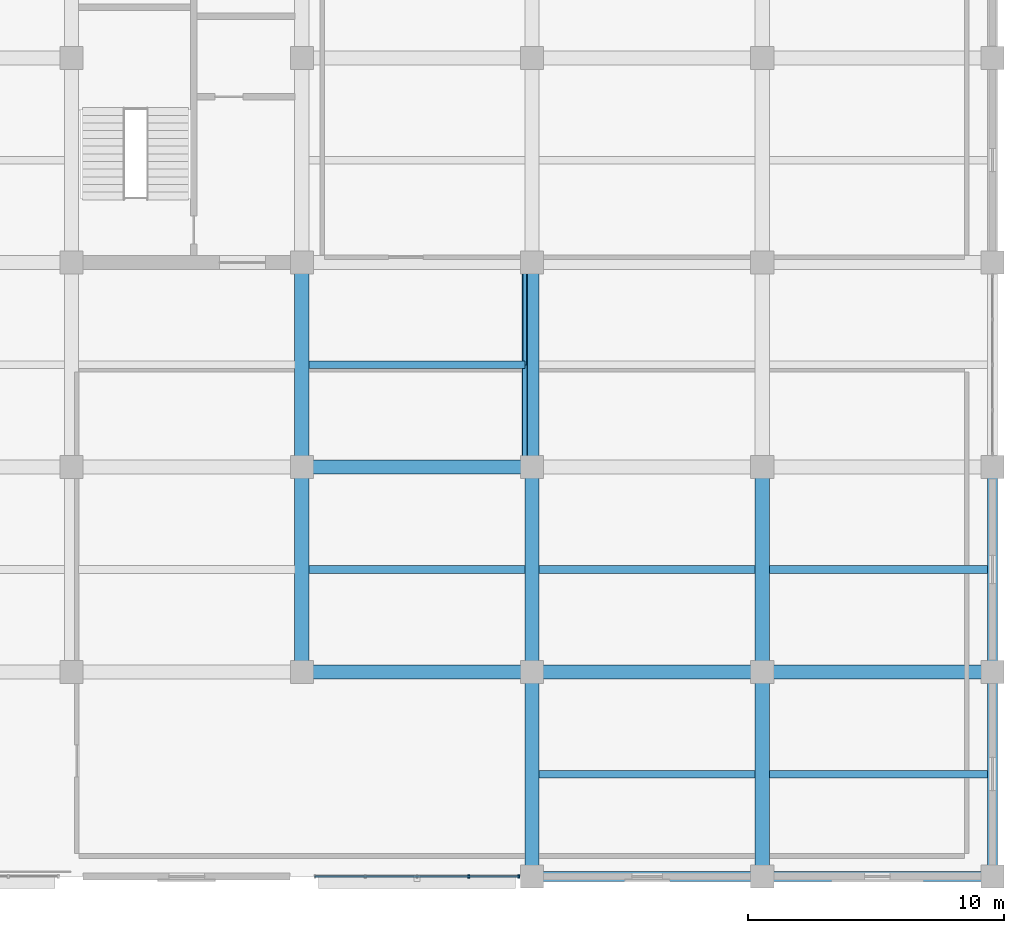
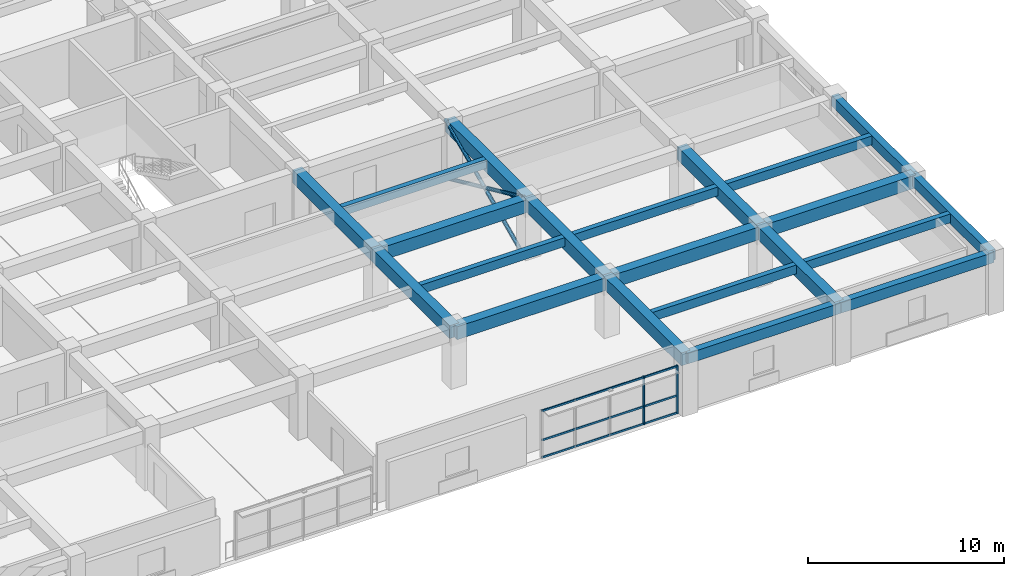
# One storey, part 6 of 16: 21 beams, 7 members, 1 element without a shape of its own.
"""IFC4 building model written with IfcOpenShell, lengths in metres."""

from ifc_helpers import new_model, si_unit, direction, frame, origin, origin_2d, place, context, subcontext, project, spatial, rectangle, hollow_circle, extrude, material, material_profile, profile_set, type_object, element, aggregate, save


model = new_model("IFC4")

# Units and contexts
model_context = context("Model", 3, precision=1e-05, world=origin(), true_north=direction((0.0, 1.0)))
body_context = subcontext(model_context, "Body", "Model", "MODEL_VIEW")
ifc_project = project(units=[si_unit("LENGTHUNIT", "METRE"), si_unit("AREAUNIT", "SQUARE_METRE"), si_unit("VOLUMEUNIT", "CUBIC_METRE"), si_unit("PLANEANGLEUNIT", "RADIAN"), si_unit("MASSUNIT", "GRAM", prefix="KILO")], contexts=[model_context])

# Site, building, storey
site_placement = place(None, origin())
site = spatial("IfcSite", under=ifc_project, at=site_placement, CompositionType="ELEMENT")
building_placement = place(site_placement, origin())
building = spatial("IfcBuilding", under=site, at=building_placement, Name="Zaverband Oceanarium and Marine Research Institute", CompositionType="ELEMENT")
storey_placement = place(building_placement, frame((0.0, 0.0, 25.800048828125)))
storey = spatial("IfcBuildingStorey", under=building, at=storey_placement, Name="L06", CompositionType="ELEMENT", Elevation=25.800048828125)

# Beams
ifc_material_1 = material(Name="Concrete C40/50", Category="concrete")
ifc_material_profile_1 = material_profile(ifc_material_1, rectangle(XDim=0.550048828125, YDim=0.800048828125, at=origin_2d()), Name="RC550x800")
ifc_profile_set_1 = profile_set([ifc_material_profile_1], Name="Concrete C40/50")
beam_type_1 = type_object("IfcBeamType", Name="BM-550x800", PredefinedType="BEAM", material=ifc_profile_set_1)
for number, where, z_axis, x_axis, name in (
    (1, (45.0, 72.0, 3.25), (1.0, 0.0, 0.0), (0.0, 1.0, 0.0), "Primary floor girder BM-550x800"),
    (2, (54.0, 72.0, 3.25), (1.0, 0.0, 0.0), (0.0, 1.0, 0.0), "Primary floor girder BM-550x800"),
    (3, (63.0, 72.0, 3.25), (1.0, 0.0, 0.0), (0.0, 1.0, 0.0), "Primary floor girder BM-550x800"),
    (4, (45.0, 80.0, 3.25), (1.0, 0.0, 0.0), (0.0, 1.0, 0.0), "Primary floor girder BM-550x800"),
):
    element("IfcBeam", number, at=place(storey_placement, frame(where, z_axis=z_axis, x_axis=x_axis)), inside=storey, type_object=beam_type_1, Name=name, PredefinedType="BEAM", context=body_context, shape_type="SweptSolid", body=[
        extrude(rectangle(XDim=0.550048828125, YDim=0.800048828125, at=origin_2d()), origin(), (0.0, 0.0, 1.0), 9.0),
    ])
for number, where, z_axis, x_axis, name in (
    (5, (45.0, 72.0, 3.25), (0.0, 1.0, 0.0), (-1.0, 0.0, 0.0), "Primary floor girder BM-550x800"),
    (6, (45.0, 80.0, 3.25), (0.0, 1.0, 0.0), (-1.0, 0.0, 0.0), "Primary floor girder BM-550x800"),
    (7, (54.0, 64.0, 3.25), (0.0, 1.0, 0.0), (-1.0, 0.0, 0.0), "Primary floor girder BM-550x800"),
    (8, (54.0, 72.0, 3.25), (0.0, 1.0, 0.0), (-1.0, 0.0, 0.0), "Primary floor girder BM-550x800"),
    (9, (54.0, 80.0, 3.25), (0.0, 1.0, 0.0), (-1.0, 0.0, 0.0), "Primary floor girder BM-550x800"),
    (10, (63.0, 64.0, 3.25), (0.0, 1.0, 0.0), (-1.0, 0.0, 0.0), "Primary floor girder BM-550x800"),
    (11, (63.0, 72.0, 3.25), (0.0, 1.0, 0.0), (-1.0, 0.0, 0.0), "Primary floor girder BM-550x800"),
):
    element("IfcBeam", number, at=place(storey_placement, frame(where, z_axis=z_axis, x_axis=x_axis)), inside=storey, type_object=beam_type_1, Name=name, PredefinedType="BEAM", context=body_context, shape_type="SweptSolid", body=[
        extrude(rectangle(XDim=0.550048828125, YDim=0.800048828125, at=origin_2d()), origin(), (0.0, 0.0, 1.0), 8.0),
    ])

# Members
ifc_material_2 = material(Name="Steel S355", Category="steel")
ifc_material_profile_2 = material_profile(ifc_material_2, hollow_circle(Radius=0.109619140625, WallThickness=0.008056640625, at=origin_2d()), Name="CHS219x8")
ifc_profile_set_2 = profile_set([ifc_material_profile_2], Name="Steel S355")
member_type_1 = type_object("IfcMemberType", Name="BR-02", PredefinedType="BRACE", material=ifc_profile_set_2)
for number, where, z_axis, x_axis, name in (
    (12, (53.719970703125, 80.0, 0.0), (0.0, 0.909785572369, 0.415078561612), (-1.0, 0.0, 0.0), "Diagonal lateral brace BR-02"),
    (13, (53.719970703125, 88.0, 0.0), (0.0, -0.909785572369, 0.415078561612), (1.0, 0.0, 0.0), "Diagonal lateral brace BR-02"),
):
    element("IfcMember", number, at=place(storey_placement, frame(where, z_axis=z_axis, x_axis=x_axis)), inside=storey, type_object=member_type_1, Name=name, PredefinedType="BRACE", context=body_context, shape_type="SweptSolid", body=[
        extrude(hollow_circle(Radius=0.109619140625, WallThickness=0.008056640625, at=origin_2d()), origin(), (0.0, 0.0, 1.0), 8.793212890625),
    ])

# Beams
ifc_material_profile_3 = material_profile(ifc_material_1, rectangle(XDim=0.300048828125, YDim=0.550048828125, at=origin_2d()), Name="RC300x550")
ifc_profile_set_3 = profile_set([ifc_material_profile_3], Name="Concrete C40/50")
beam_type_2 = type_object("IfcBeamType", Name="JST-300x550", PredefinedType="JOIST", material=ifc_profile_set_3)
for number, where, z_axis, x_axis, name in (
    (14, (45.27490234375, 76.0, 3.375), (1.0, 0.0, 0.0), (0.0, 1.0, 0.0), "Secondary floor joist JST-300x550"),
    (15, (45.27490234375, 84.0, 3.375), (1.0, 0.0, 0.0), (0.0, 1.0, 0.0), "Secondary floor joist JST-300x550"),
    (16, (54.27490234375, 68.0, 3.375), (1.0, 0.0, 0.0), (0.0, 1.0, 0.0), "Secondary floor joist JST-300x550"),
    (17, (54.27490234375, 76.0, 3.375), (1.0, 0.0, 0.0), (0.0, 1.0, 0.0), "Secondary floor joist JST-300x550"),
):
    element("IfcBeam", number, at=place(storey_placement, frame(where, z_axis=z_axis, x_axis=x_axis)), inside=storey, type_object=beam_type_2, Name=name, PredefinedType="JOIST", context=body_context, shape_type="SweptSolid", body=[
        extrude(rectangle(XDim=0.300048828125, YDim=0.550048828125, at=origin_2d()), origin(), (0.0, 0.0, 1.0), 8.4501953125),
    ])
for number, where, z_axis, x_axis, name in (
    (18, (63.27490234375, 68.0, 3.375), (1.0, 0.0, 0.0), (0.0, 1.0, 0.0), "Secondary floor joist JST-300x550"),
    (19, (63.27490234375, 76.0, 3.375), (1.0, 0.0, 0.0), (0.0, 1.0, 0.0), "Secondary floor joist JST-300x550"),
):
    element("IfcBeam", number, at=place(storey_placement, frame(where, z_axis=z_axis, x_axis=x_axis)), inside=storey, type_object=beam_type_2, Name=name, PredefinedType="JOIST", context=body_context, shape_type="SweptSolid", body=[
        extrude(rectangle(XDim=0.300048828125, YDim=0.550048828125, at=origin_2d()), origin(), (0.0, 0.0, 1.0), 8.525146484375),
    ])

# Curtain wall, members
ifc_material_3 = material(Name="Thermally broken anodized aluminium and solar-control glass", Category="aluminium")
curtain_wall_type = type_object("IfcCurtainWallType", Name="CW-UNIT-1800", PredefinedType="NOTDEFINED", material=ifc_material_3)
curtain_wall_placement = place(storey_placement, origin())
curtain_wall = element("IfcCurtainWall", 20, at=curtain_wall_placement, inside=storey, type_object=curtain_wall_type, Name="Unitised glazed curtain wall CW-078", PredefinedType="NOTDEFINED")
ifc_material_4 = material(Name="Thermally broken anodized aluminium", Category="aluminium")
ifc_material_profile_4 = material_profile(ifc_material_4, rectangle(XDim=0.070068359375, YDim=0.14990234375, at=origin_2d()), Name="AL-MUL-70x150")
ifc_profile_set_4 = profile_set([ifc_material_profile_4], Name="Thermally broken anodized aluminium")
member_type_2 = type_object("IfcMemberType", Name="MUL-70x150", PredefinedType="MULLION", material=ifc_profile_set_4)
member_1_placement = place(storey_placement, frame((51.5224609375, 64.0, 0.0), z_axis=(0.0, 0.0, 1.0), x_axis=(1.0, 0.0, 0.0)))
member_1 = element("IfcMember", 21, at=member_1_placement, type_object=member_type_2, Name="Curtain wall vertical mullion MUL-70x150", PredefinedType="MULLION", context=body_context, shape_type="SweptSolid", body=[
    extrude(rectangle(XDim=0.070068359375, YDim=0.14990234375, at=origin_2d()), origin(), (0.0, 0.0, 1.0), 2.97998046875),
])
member_2_placement = place(storey_placement, frame((53.485107421875, 64.0, 0.0), z_axis=(0.0, 0.0, 1.0), x_axis=(1.0, 0.0, 0.0)))
member_2 = element("IfcMember", 22, at=member_2_placement, type_object=member_type_2, Name="Curtain wall vertical mullion MUL-70x150", PredefinedType="MULLION", context=body_context, shape_type="SweptSolid", body=[
    extrude(rectangle(XDim=0.070068359375, YDim=0.14990234375, at=origin_2d()), origin(), (0.0, 0.0, 1.0), 2.97998046875),
])

# Beams
ifc_material_profile_5 = material_profile(ifc_material_1, rectangle(XDim=0.39990234375, YDim=0.64990234375, at=origin_2d()), Name="RC400x650")
ifc_profile_set_5 = profile_set([ifc_material_profile_5], Name="Concrete C40/50")
beam_type_3 = type_object("IfcBeamType", Name="SPN-400x650", PredefinedType="SPANDREL", material=ifc_profile_set_5)
for number, where, z_axis, x_axis, name in (
    (23, (54.0, 64.0, 3.324951171875), (1.0, 0.0, 0.0), (0.0, 1.0, 0.0), "Perimeter spandrel beam SPN-400x650"),
    (24, (63.0, 64.0, 3.324951171875), (1.0, 0.0, 0.0), (0.0, 1.0, 0.0), "Perimeter spandrel beam SPN-400x650"),
):
    element("IfcBeam", number, at=place(storey_placement, frame(where, z_axis=z_axis, x_axis=x_axis)), inside=storey, type_object=beam_type_3, Name=name, PredefinedType="SPANDREL", context=body_context, shape_type="SweptSolid", body=[
        extrude(rectangle(XDim=0.39990234375, YDim=0.64990234375, at=origin_2d()), origin(), (0.0, 0.0, 1.0), 9.0),
    ])
for number, where, z_axis, x_axis, name in (
    (25, (72.0, 64.0, 3.324951171875), (0.0, 1.0, 0.0), (-1.0, 0.0, 0.0), "Perimeter spandrel beam SPN-400x650"),
    (26, (72.0, 72.0, 3.324951171875), (0.0, 1.0, 0.0), (-1.0, 0.0, 0.0), "Perimeter spandrel beam SPN-400x650"),
):
    element("IfcBeam", number, at=place(storey_placement, frame(where, z_axis=z_axis, x_axis=x_axis)), inside=storey, type_object=beam_type_3, Name=name, PredefinedType="SPANDREL", context=body_context, shape_type="SweptSolid", body=[
        extrude(rectangle(XDim=0.39990234375, YDim=0.64990234375, at=origin_2d()), origin(), (0.0, 0.0, 1.0), 8.0),
    ])

# Member
ifc_material_profile_6 = material_profile(ifc_material_4, rectangle(XDim=0.070068359375, YDim=0.114990234375, at=origin_2d()), Name="AL-TRN-70x115")
ifc_profile_set_6 = profile_set([ifc_material_profile_6], Name="Thermally broken anodized aluminium")
member_type_3 = type_object("IfcMemberType", Name="TRN-70x115", PredefinedType="USERDEFINED", material=ifc_profile_set_6)
member_3_placement = place(storey_placement, frame((45.514892578125, 64.0, 0.050048828125), z_axis=(1.0, 0.0, 0.0), x_axis=(0.0, 1.0, 0.0)))
member_3 = element("IfcMember", 27, at=member_3_placement, type_object=member_type_3, Name="Curtain wall horizontal transom TRN-70x115", ObjectType="TRANSOM", PredefinedType="USERDEFINED", context=body_context, shape_type="SweptSolid", body=[
    extrude(rectangle(XDim=0.070068359375, YDim=0.114990234375, at=origin_2d()), origin(), (0.0, 0.0, 1.0), 7.97021484375),
])

member_4_placement = place(storey_placement, frame((45.514892578125, 64.0, 1.123046875), z_axis=(1.0, 0.0, 0.0), x_axis=(0.0, 1.0, 0.0)))
member_4 = element("IfcMember", 28, at=member_4_placement, type_object=member_type_3, Name="Curtain wall horizontal transom TRN-70x115", ObjectType="TRANSOM", PredefinedType="USERDEFINED", context=body_context, shape_type="SweptSolid", body=[
    extrude(rectangle(XDim=0.070068359375, YDim=0.114990234375, at=origin_2d()), origin(), (0.0, 0.0, 1.0), 7.97021484375),
])

member_5_placement = place(storey_placement, frame((45.514892578125, 64.0, 2.929931640625), z_axis=(1.0, 0.0, 0.0), x_axis=(0.0, 1.0, 0.0)))
member_5 = element("IfcMember", 29, at=member_5_placement, type_object=member_type_3, Name="Curtain wall horizontal transom TRN-70x115", ObjectType="TRANSOM", PredefinedType="USERDEFINED", context=body_context, shape_type="SweptSolid", body=[
    extrude(rectangle(XDim=0.070068359375, YDim=0.114990234375, at=origin_2d()), origin(), (0.0, 0.0, 1.0), 7.97021484375),
])

aggregate(curtain_wall, [member_1, member_2, member_3, member_4, member_5])

save(model, "model.ifc")
